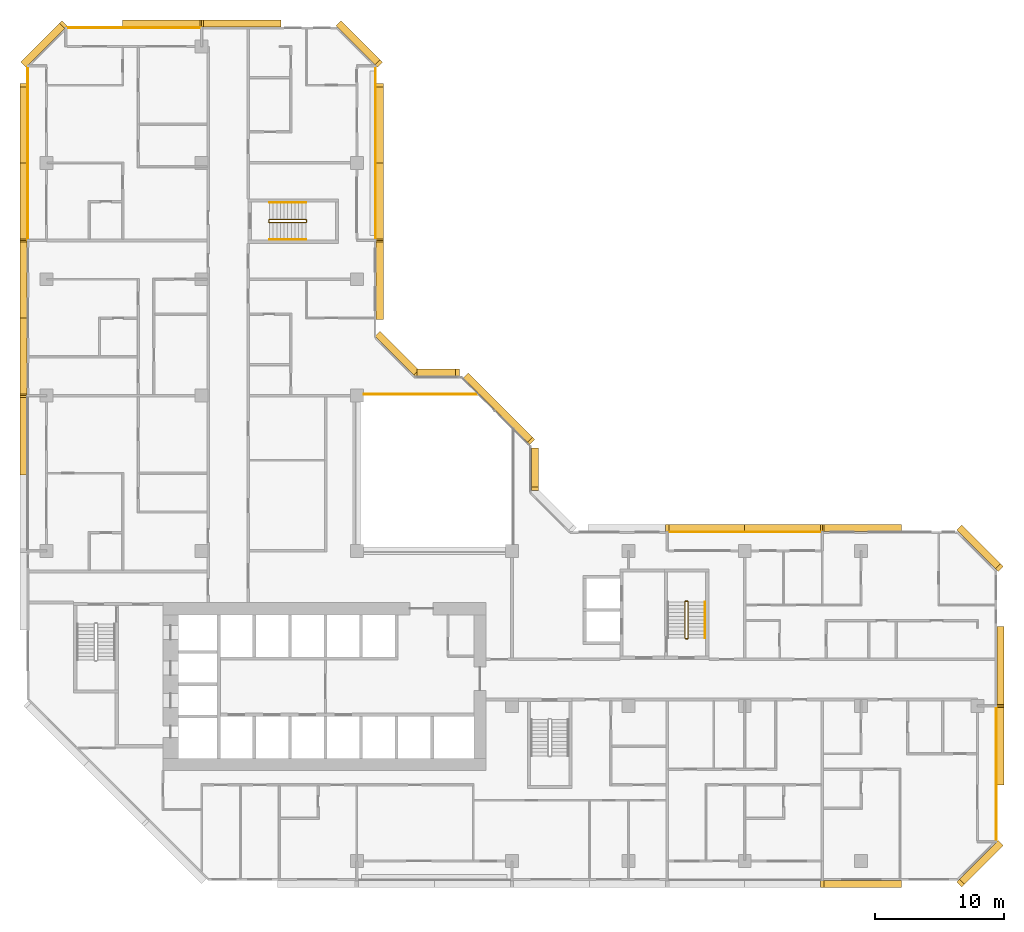
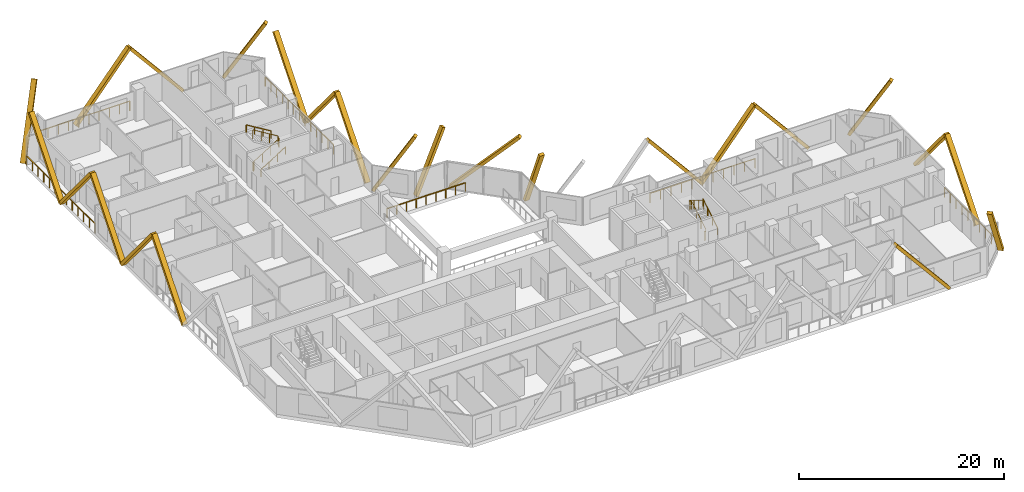
# One storey, part 15 of 15: 24 coverings, 11 railings.
"""IFC4 building model written with IfcOpenShell, lengths in metres."""

from ifc_helpers import new_model, si_unit, direction, frame, origin, origin_2d, place, context, subcontext, project, spatial, rectangle, extrude, material, material_profile, profile_set, type_object, element, save


model = new_model("IFC4")

# Units and contexts
model_context = context("Model", 3, precision=1e-05, world=origin(), true_north=direction((0.0, 1.0)))
body_context = subcontext(model_context, "Body", "Model", "MODEL_VIEW")
ifc_project = project(units=[si_unit("LENGTHUNIT", "METRE"), si_unit("AREAUNIT", "SQUARE_METRE"), si_unit("VOLUMEUNIT", "CUBIC_METRE"), si_unit("PLANEANGLEUNIT", "RADIAN"), si_unit("MASSUNIT", "GRAM", prefix="KILO")], contexts=[model_context])

# Site, building, storey
site_placement = place(None, origin())
site = spatial("IfcSite", under=ifc_project, at=site_placement, CompositionType="ELEMENT")
building_placement = place(site_placement, origin())
building = spatial("IfcBuilding", under=site, at=building_placement, Name="Chenar Terraces", CompositionType="ELEMENT")
storey_placement = place(building_placement, frame((0.0, 0.0, 106.89990234375)))
storey = spatial("IfcBuildingStorey", under=building, at=storey_placement, Name="L24", CompositionType="ELEMENT", Elevation=106.89990234375)

# Railings
ifc_material_1 = material(Name="Powder-coated steel", Category="steel")
railing_type_1 = type_object("IfcRailingType", Name="Guard 1100 steel rail with glass infill", PredefinedType="GUARDRAIL", material=ifc_material_1)
railing_1_placement = place(storey_placement, frame((24.550048828125, 36.10009765625, 0.0)))
element("IfcRailing", 1, at=railing_1_placement, inside=storey, type_object=railing_type_1, Name="Guard L24-2", PredefinedType="GUARDRAIL", context=body_context, shape_type="SweptSolid", body=[
    extrude(rectangle(XDim=0.06005859375, YDim=0.06005859375, at=origin_2d()), frame((0.0, 0.0, 1.070068359375), z_axis=(1.0, 0.0, 0.0), x_axis=(0.0, 1.0, 0.0)), (0.0, 0.0, 1.0), 8.849853515625),
    extrude(rectangle(XDim=0.050048828125, YDim=0.050048828125, at=origin_2d()), origin(), (0.0, 0.0, 1.0), 1.0400390625),
    extrude(rectangle(XDim=0.050048828125, YDim=0.050048828125, at=origin_2d()), frame((1.106201171875, 0.0, 0.0)), (0.0, 0.0, 1.0), 1.0400390625),
    extrude(rectangle(XDim=0.050048828125, YDim=0.050048828125, at=origin_2d()), frame((2.21240234375, 0.0, 0.0)), (0.0, 0.0, 1.0), 1.0400390625),
    extrude(rectangle(XDim=0.050048828125, YDim=0.050048828125, at=origin_2d()), frame((3.318603515625, 0.0, 0.0)), (0.0, 0.0, 1.0), 1.0400390625),
    extrude(rectangle(XDim=0.050048828125, YDim=0.050048828125, at=origin_2d()), frame((4.4248046875, 0.0, 0.0)), (0.0, 0.0, 1.0), 1.0400390625),
    extrude(rectangle(XDim=0.050048828125, YDim=0.050048828125, at=origin_2d()), frame((5.53125, 0.0, 0.0)), (0.0, 0.0, 1.0), 1.0400390625),
    extrude(rectangle(XDim=0.050048828125, YDim=0.050048828125, at=origin_2d()), frame((6.637451171875, 0.0, 0.0)), (0.0, 0.0, 1.0), 1.0400390625),
    extrude(rectangle(XDim=0.050048828125, YDim=0.050048828125, at=origin_2d()), frame((7.74365234375, 0.0, 0.0)), (0.0, 0.0, 1.0), 1.0400390625),
    extrude(rectangle(XDim=0.050048828125, YDim=0.050048828125, at=origin_2d()), frame((8.849853515625, 0.0, 0.0)), (0.0, 0.0, 1.0), 1.0400390625),
])
ifc_material_2 = material(Name="Stainless steel and glass", Category="steel")
railing_type_2 = type_object("IfcRailingType", Name="Loggia guard 1150", PredefinedType="GUARDRAIL", material=ifc_material_2)
railing_2_placement = place(storey_placement, frame((25.449951171875, 48.074951171875, 0.0)))
element("IfcRailing", 2, at=railing_2_placement, inside=storey, type_object=railing_type_2, Name="Loggia guard", PredefinedType="GUARDRAIL", context=body_context, shape_type="SweptSolid", body=[
    extrude(rectangle(XDim=0.048095703125, YDim=0.048095703125, at=origin_2d()), frame((0.0, 0.0, 1.1259765625), z_axis=(0.0, 1.0, 0.0), x_axis=(-1.0, 0.0, 0.0)), (0.0, 0.0, 1.0), 13.35009765625),
    extrude(rectangle(XDim=0.0419921875, YDim=0.0419921875, at=origin_2d()), origin(), (0.0, 0.0, 1.0), 1.101806640625),
    extrude(rectangle(XDim=0.0419921875, YDim=0.0419921875, at=origin_2d()), frame((0.0, 1.112548828125, 0.0)), (0.0, 0.0, 1.0), 1.101806640625),
    extrude(rectangle(XDim=0.0419921875, YDim=0.0419921875, at=origin_2d()), frame((0.0, 2.22509765625, 0.0)), (0.0, 0.0, 1.0), 1.101806640625),
    extrude(rectangle(XDim=0.0419921875, YDim=0.0419921875, at=origin_2d()), frame((0.0, 3.33740234375, 0.0)), (0.0, 0.0, 1.0), 1.101806640625),
    extrude(rectangle(XDim=0.0419921875, YDim=0.0419921875, at=origin_2d()), frame((0.0, 4.449951171875, 0.0)), (0.0, 0.0, 1.0), 1.101806640625),
    extrude(rectangle(XDim=0.0419921875, YDim=0.0419921875, at=origin_2d()), frame((0.0, 5.5625, 0.0)), (0.0, 0.0, 1.0), 1.101806640625),
    extrude(rectangle(XDim=0.0419921875, YDim=0.0419921875, at=origin_2d()), frame((0.0, 6.675048828125, 0.0)), (0.0, 0.0, 1.0), 1.101806640625),
    extrude(rectangle(XDim=0.0419921875, YDim=0.0419921875, at=origin_2d()), frame((0.0, 7.78759765625, 0.0)), (0.0, 0.0, 1.0), 1.101806640625),
    extrude(rectangle(XDim=0.0419921875, YDim=0.0419921875, at=origin_2d()), frame((0.0, 8.900146484375, 0.0)), (0.0, 0.0, 1.0), 1.101806640625),
    extrude(rectangle(XDim=0.0419921875, YDim=0.0419921875, at=origin_2d()), frame((0.0, 10.0126953125, 0.0)), (0.0, 0.0, 1.0), 1.101806640625),
    extrude(rectangle(XDim=0.0419921875, YDim=0.0419921875, at=origin_2d()), frame((0.0, 11.125, 0.0)), (0.0, 0.0, 1.0), 1.101806640625),
    extrude(rectangle(XDim=0.0419921875, YDim=0.0419921875, at=origin_2d()), frame((0.0, 12.237548828125, 0.0)), (0.0, 0.0, 1.0), 1.101806640625),
    extrude(rectangle(XDim=0.0419921875, YDim=0.0419921875, at=origin_2d()), frame((0.0, 13.35009765625, 0.0)), (0.0, 0.0, 1.0), 1.101806640625),
])
railing_3_placement = place(storey_placement, frame((73.449951171875, 1.574951171875, 0.0)))
element("IfcRailing", 3, at=railing_3_placement, inside=storey, type_object=railing_type_2, Name="Loggia guard", PredefinedType="GUARDRAIL", context=body_context, shape_type="SweptSolid", body=[
    extrude(rectangle(XDim=0.048095703125, YDim=0.048095703125, at=origin_2d()), frame((0.0, 0.0, 1.1259765625), z_axis=(0.0, 1.0, 0.0), x_axis=(-1.0, 0.0, 0.0)), (0.0, 0.0, 1.0), 10.35009765625),
    extrude(rectangle(XDim=0.0419921875, YDim=0.0419921875, at=origin_2d()), origin(), (0.0, 0.0, 1.0), 1.101806640625),
    extrude(rectangle(XDim=0.0419921875, YDim=0.0419921875, at=origin_2d()), frame((0.0, 1.14990234375, 0.0)), (0.0, 0.0, 1.0), 1.101806640625),
    extrude(rectangle(XDim=0.0419921875, YDim=0.0419921875, at=origin_2d()), frame((0.0, 2.300048828125, 0.0)), (0.0, 0.0, 1.0), 1.101806640625),
    extrude(rectangle(XDim=0.0419921875, YDim=0.0419921875, at=origin_2d()), frame((0.0, 3.449951171875, 0.0)), (0.0, 0.0, 1.0), 1.101806640625),
    extrude(rectangle(XDim=0.0419921875, YDim=0.0419921875, at=origin_2d()), frame((0.0, 4.60009765625, 0.0)), (0.0, 0.0, 1.0), 1.101806640625),
    extrude(rectangle(XDim=0.0419921875, YDim=0.0419921875, at=origin_2d()), frame((0.0, 5.75, 0.0)), (0.0, 0.0, 1.0), 1.101806640625),
    extrude(rectangle(XDim=0.0419921875, YDim=0.0419921875, at=origin_2d()), frame((0.0, 6.900146484375, 0.0)), (0.0, 0.0, 1.0), 1.101806640625),
    extrude(rectangle(XDim=0.0419921875, YDim=0.0419921875, at=origin_2d()), frame((0.0, 8.050048828125, 0.0)), (0.0, 0.0, 1.0), 1.101806640625),
    extrude(rectangle(XDim=0.0419921875, YDim=0.0419921875, at=origin_2d()), frame((0.0, 9.2001953125, 0.0)), (0.0, 0.0, 1.0), 1.101806640625),
    extrude(rectangle(XDim=0.0419921875, YDim=0.0419921875, at=origin_2d()), frame((0.0, 10.35009765625, 0.0)), (0.0, 0.0, 1.0), 1.101806640625),
])
railing_4_placement = place(storey_placement, frame((59.925048828125, 25.449951171875, 0.0)))
element("IfcRailing", 4, at=railing_4_placement, inside=storey, type_object=railing_type_2, Name="Loggia guard", PredefinedType="GUARDRAIL", context=body_context, shape_type="SweptSolid", body=[
    extrude(rectangle(XDim=0.048095703125, YDim=0.048095703125, at=origin_2d()), frame((0.0, 0.0, 1.1259765625), z_axis=(-1.0, 0.0, 0.0), x_axis=(0.0, -1.0, 0.0)), (0.0, 0.0, 1.0), 11.85009765625),
    extrude(rectangle(XDim=0.0419921875, YDim=0.0419921875, at=origin_2d()), origin(), (0.0, 0.0, 1.0), 1.101806640625),
    extrude(rectangle(XDim=0.0419921875, YDim=0.0419921875, at=origin_2d()), frame((-1.18505859375, 0.0, 0.0)), (0.0, 0.0, 1.0), 1.101806640625),
    extrude(rectangle(XDim=0.0419921875, YDim=0.0419921875, at=origin_2d()), frame((-2.3701171875, 0.0, 0.0)), (0.0, 0.0, 1.0), 1.101806640625),
    extrude(rectangle(XDim=0.0419921875, YDim=0.0419921875, at=origin_2d()), frame((-3.554931640625, 0.0, 0.0)), (0.0, 0.0, 1.0), 1.101806640625),
    extrude(rectangle(XDim=0.0419921875, YDim=0.0419921875, at=origin_2d()), frame((-4.739990234375, 0.0, 0.0)), (0.0, 0.0, 1.0), 1.101806640625),
    extrude(rectangle(XDim=0.0419921875, YDim=0.0419921875, at=origin_2d()), frame((-5.925048828125, 0.0, 0.0)), (0.0, 0.0, 1.0), 1.101806640625),
    extrude(rectangle(XDim=0.0419921875, YDim=0.0419921875, at=origin_2d()), frame((-7.110107421875, 0.0, 0.0)), (0.0, 0.0, 1.0), 1.101806640625),
    extrude(rectangle(XDim=0.0419921875, YDim=0.0419921875, at=origin_2d()), frame((-8.295166015625, 0.0, 0.0)), (0.0, 0.0, 1.0), 1.101806640625),
    extrude(rectangle(XDim=0.0419921875, YDim=0.0419921875, at=origin_2d()), frame((-9.47998046875, 0.0, 0.0)), (0.0, 0.0, 1.0), 1.101806640625),
    extrude(rectangle(XDim=0.0419921875, YDim=0.0419921875, at=origin_2d()), frame((-10.6650390625, 0.0, 0.0)), (0.0, 0.0, 1.0), 1.101806640625),
    extrude(rectangle(XDim=0.0419921875, YDim=0.0419921875, at=origin_2d()), frame((-11.85009765625, 0.0, 0.0)), (0.0, 0.0, 1.0), 1.101806640625),
])
railing_5_placement = place(storey_placement, frame((11.925048828125, 64.449951171875, 0.0)))
element("IfcRailing", 5, at=railing_5_placement, inside=storey, type_object=railing_type_2, Name="Loggia guard", PredefinedType="GUARDRAIL", context=body_context, shape_type="SweptSolid", body=[
    extrude(rectangle(XDim=0.048095703125, YDim=0.048095703125, at=origin_2d()), frame((0.0, 0.0, 1.1259765625), z_axis=(-1.0, 0.0, 0.0), x_axis=(0.0, -1.0, 0.0)), (0.0, 0.0, 1.0), 10.35009765625),
    extrude(rectangle(XDim=0.0419921875, YDim=0.0419921875, at=origin_2d()), origin(), (0.0, 0.0, 1.0), 1.101806640625),
    extrude(rectangle(XDim=0.0419921875, YDim=0.0419921875, at=origin_2d()), frame((-1.14990234375, 0.0, 0.0)), (0.0, 0.0, 1.0), 1.101806640625),
    extrude(rectangle(XDim=0.0419921875, YDim=0.0419921875, at=origin_2d()), frame((-2.300048828125, 0.0, 0.0)), (0.0, 0.0, 1.0), 1.101806640625),
    extrude(rectangle(XDim=0.0419921875, YDim=0.0419921875, at=origin_2d()), frame((-3.449951171875, 0.0, 0.0)), (0.0, 0.0, 1.0), 1.101806640625),
    extrude(rectangle(XDim=0.0419921875, YDim=0.0419921875, at=origin_2d()), frame((-4.60009765625, 0.0, 0.0)), (0.0, 0.0, 1.0), 1.101806640625),
    extrude(rectangle(XDim=0.0419921875, YDim=0.0419921875, at=origin_2d()), frame((-5.75, 0.0, 0.0)), (0.0, 0.0, 1.0), 1.101806640625),
    extrude(rectangle(XDim=0.0419921875, YDim=0.0419921875, at=origin_2d()), frame((-6.900146484375, 0.0, 0.0)), (0.0, 0.0, 1.0), 1.101806640625),
    extrude(rectangle(XDim=0.0419921875, YDim=0.0419921875, at=origin_2d()), frame((-8.050048828125, 0.0, 0.0)), (0.0, 0.0, 1.0), 1.101806640625),
    extrude(rectangle(XDim=0.0419921875, YDim=0.0419921875, at=origin_2d()), frame((-9.2001953125, 0.0, 0.0)), (0.0, 0.0, 1.0), 1.101806640625),
    extrude(rectangle(XDim=0.0419921875, YDim=0.0419921875, at=origin_2d()), frame((-10.35009765625, 0.0, 0.0)), (0.0, 0.0, 1.0), 1.101806640625),
])
railing_6_placement = place(storey_placement, frame((-1.449951171875, 61.425048828125, 0.0)))
element("IfcRailing", 6, at=railing_6_placement, inside=storey, type_object=railing_type_2, Name="Loggia guard", PredefinedType="GUARDRAIL", context=body_context, shape_type="SweptSolid", body=[
    extrude(rectangle(XDim=0.048095703125, YDim=0.048095703125, at=origin_2d()), frame((0.0, 0.0, 1.1259765625), z_axis=(0.0, -1.0, 0.0), x_axis=(1.0, 0.0, 0.0)), (0.0, 0.0, 1.0), 13.35009765625),
    extrude(rectangle(XDim=0.0419921875, YDim=0.0419921875, at=origin_2d()), origin(), (0.0, 0.0, 1.0), 1.101806640625),
    extrude(rectangle(XDim=0.0419921875, YDim=0.0419921875, at=origin_2d()), frame((0.0, -1.112548828125, 0.0)), (0.0, 0.0, 1.0), 1.101806640625),
    extrude(rectangle(XDim=0.0419921875, YDim=0.0419921875, at=origin_2d()), frame((0.0, -2.22509765625, 0.0)), (0.0, 0.0, 1.0), 1.101806640625),
    extrude(rectangle(XDim=0.0419921875, YDim=0.0419921875, at=origin_2d()), frame((0.0, -3.33740234375, 0.0)), (0.0, 0.0, 1.0), 1.101806640625),
    extrude(rectangle(XDim=0.0419921875, YDim=0.0419921875, at=origin_2d()), frame((0.0, -4.449951171875, 0.0)), (0.0, 0.0, 1.0), 1.101806640625),
    extrude(rectangle(XDim=0.0419921875, YDim=0.0419921875, at=origin_2d()), frame((0.0, -5.5625, 0.0)), (0.0, 0.0, 1.0), 1.101806640625),
    extrude(rectangle(XDim=0.0419921875, YDim=0.0419921875, at=origin_2d()), frame((0.0, -6.675048828125, 0.0)), (0.0, 0.0, 1.0), 1.101806640625),
    extrude(rectangle(XDim=0.0419921875, YDim=0.0419921875, at=origin_2d()), frame((0.0, -7.78759765625, 0.0)), (0.0, 0.0, 1.0), 1.101806640625),
    extrude(rectangle(XDim=0.0419921875, YDim=0.0419921875, at=origin_2d()), frame((0.0, -8.900146484375, 0.0)), (0.0, 0.0, 1.0), 1.101806640625),
    extrude(rectangle(XDim=0.0419921875, YDim=0.0419921875, at=origin_2d()), frame((0.0, -10.0126953125, 0.0)), (0.0, 0.0, 1.0), 1.101806640625),
    extrude(rectangle(XDim=0.0419921875, YDim=0.0419921875, at=origin_2d()), frame((0.0, -11.125, 0.0)), (0.0, 0.0, 1.0), 1.101806640625),
    extrude(rectangle(XDim=0.0419921875, YDim=0.0419921875, at=origin_2d()), frame((0.0, -12.237548828125, 0.0)), (0.0, 0.0, 1.0), 1.101806640625),
    extrude(rectangle(XDim=0.0419921875, YDim=0.0419921875, at=origin_2d()), frame((0.0, -13.35009765625, 0.0)), (0.0, 0.0, 1.0), 1.101806640625),
])
ifc_material_3 = material(Name="Powder-coated steel", Category="steel")
railing_type_3 = type_object("IfcRailingType", Name="Stair guard 1100", PredefinedType="GUARDRAIL", material=ifc_material_3)
railing_7_placement = place(storey_placement, frame((49.375, 17.25, 3.75)))
element("IfcRailing", 7, at=railing_7_placement, inside=storey, type_object=railing_type_3, Name="L24 ST3 stair guard 1", PredefinedType="GUARDRAIL", context=body_context, shape_type="SweptSolid", body=[
    extrude(rectangle(XDim=0.048095703125, YDim=0.048095703125, at=origin_2d()), frame((0.0, 0.0, 1.076171875), z_axis=(0.0, 0.854202870247, -0.519939858505), x_axis=(-1.0, 0.0, 0.0)), (0.0, 0.0, 1.0), 3.278076171875),
    extrude(rectangle(XDim=0.048095703125, YDim=0.048095703125, at=origin_2d()), frame((0.0, 2.800048828125, -0.62841796875), z_axis=(0.270899902878, 0.270899902878, -0.923702595667), x_axis=(-0.707106781187, 0.707106781187, 0.0)), (0.0, 0.0, 1.0), 0.184814453125),
    extrude(rectangle(XDim=0.048095703125, YDim=0.048095703125, at=origin_2d()), frame((0.050048828125, 2.85009765625, -0.798828125), z_axis=(1.0, 0.0, 0.0), x_axis=(0.0, 1.0, 0.0)), (0.0, 0.0, 1.0), 0.14990234375),
    extrude(rectangle(XDim=0.048095703125, YDim=0.048095703125, at=origin_2d()), frame((0.199951171875, 2.85009765625, -0.798828125), z_axis=(0.707106781187, -0.707106781187, 0.0), x_axis=(0.707106781187, 0.707106781187, 0.0)), (0.0, 0.0, 1.0), 0.07080078125),
    extrude(rectangle(XDim=0.048095703125, YDim=0.048095703125, at=origin_2d()), frame((0.25, 2.800048828125, -0.798828125), z_axis=(0.0, -0.854202870247, -0.519939858505), x_axis=(1.0, 0.0, 0.0)), (0.0, 0.0, 1.0), 3.278076171875),
    extrude(rectangle(XDim=0.048095703125, YDim=0.048095703125, at=origin_2d()), frame((0.25, 0.0, -2.50341796875), z_axis=(-0.270899902878, -0.270899902878, -0.923702595667), x_axis=(0.707106781187, -0.707106781187, 0.0)), (0.0, 0.0, 1.0), 0.184814453125),
    extrude(rectangle(XDim=0.048095703125, YDim=0.048095703125, at=origin_2d()), frame((0.199951171875, -0.050048828125, -2.673828125), z_axis=(-1.0, 0.0, 0.0), x_axis=(0.0, -1.0, 0.0)), (0.0, 0.0, 1.0), 0.14990234375),
    extrude(rectangle(XDim=0.0419921875, YDim=0.0419921875, at=origin_2d()), origin(), (0.0, 0.0, 1.0), 1.052001953125),
    extrude(rectangle(XDim=0.0419921875, YDim=0.0419921875, at=origin_2d()), frame((0.0, 0.933349609375, -0.568115234375)), (0.0, 0.0, 1.0), 1.052001953125),
    extrude(rectangle(XDim=0.0419921875, YDim=0.0419921875, at=origin_2d()), frame((0.0, 1.86669921875, -1.13623046875)), (0.0, 0.0, 1.0), 1.052001953125),
    extrude(rectangle(XDim=0.0419921875, YDim=0.0419921875, at=origin_2d()), frame((0.0, 2.800048828125, -1.704345703125)), (0.0, 0.0, 1.0), 1.052001953125),
    extrude(rectangle(XDim=0.0419921875, YDim=0.0419921875, at=origin_2d()), frame((0.050048828125, 2.85009765625, -1.875)), (0.0, 0.0, 1.0), 1.052001953125),
    extrude(rectangle(XDim=0.0419921875, YDim=0.0419921875, at=origin_2d()), frame((0.199951171875, 2.85009765625, -1.875)), (0.0, 0.0, 1.0), 1.052001953125),
    extrude(rectangle(XDim=0.0419921875, YDim=0.0419921875, at=origin_2d()), frame((0.25, 2.800048828125, -1.875)), (0.0, 0.0, 1.0), 1.052001953125),
    extrude(rectangle(XDim=0.0419921875, YDim=0.0419921875, at=origin_2d()), frame((0.25, 1.86669921875, -2.443115234375)), (0.0, 0.0, 1.0), 1.052001953125),
    extrude(rectangle(XDim=0.0419921875, YDim=0.0419921875, at=origin_2d()), frame((0.25, 0.933349609375, -3.01123046875)), (0.0, 0.0, 1.0), 1.052001953125),
    extrude(rectangle(XDim=0.0419921875, YDim=0.0419921875, at=origin_2d()), frame((0.25, 0.0, -3.579345703125)), (0.0, 0.0, 1.0), 1.052001953125),
    extrude(rectangle(XDim=0.0419921875, YDim=0.0419921875, at=origin_2d()), frame((0.199951171875, -0.050048828125, -3.75)), (0.0, 0.0, 1.0), 1.052001953125),
    extrude(rectangle(XDim=0.0419921875, YDim=0.0419921875, at=origin_2d()), frame((0.050048828125, -0.050048828125, -3.75)), (0.0, 0.0, 1.0), 1.052001953125),
])
railing_8_placement = place(storey_placement, frame((17.25, 49.625, 3.75)))
element("IfcRailing", 8, at=railing_8_placement, inside=storey, type_object=railing_type_3, Name="L24 ST4 stair guard 1", PredefinedType="GUARDRAIL", context=body_context, shape_type="SweptSolid", body=[
    extrude(rectangle(XDim=0.048095703125, YDim=0.048095703125, at=origin_2d()), frame((0.0, 0.0, 1.076171875), z_axis=(0.854202870247, 0.0, -0.519939858505), x_axis=(0.0, 1.0, 0.0)), (0.0, 0.0, 1.0), 3.278076171875),
    extrude(rectangle(XDim=0.048095703125, YDim=0.048095703125, at=origin_2d()), frame((2.800048828125, 0.0, -0.62841796875), z_axis=(0.270899902878, -0.270899902878, -0.923702595667), x_axis=(0.707106781187, 0.707106781187, 0.0)), (0.0, 0.0, 1.0), 0.184814453125),
    extrude(rectangle(XDim=0.048095703125, YDim=0.048095703125, at=origin_2d()), frame((2.85009765625, -0.050048828125, -0.798828125), z_axis=(0.0, -1.0, 0.0), x_axis=(1.0, 0.0, 0.0)), (0.0, 0.0, 1.0), 0.14990234375),
    extrude(rectangle(XDim=0.048095703125, YDim=0.048095703125, at=origin_2d()), frame((2.85009765625, -0.199951171875, -0.798828125), z_axis=(-0.707106781187, -0.707106781187, 0.0), x_axis=(0.707106781187, -0.707106781187, 0.0)), (0.0, 0.0, 1.0), 0.07080078125),
    extrude(rectangle(XDim=0.048095703125, YDim=0.048095703125, at=origin_2d()), frame((2.800048828125, -0.25, -0.798828125), z_axis=(-0.854202870247, 0.0, -0.519939858505), x_axis=(0.0, -1.0, 0.0)), (0.0, 0.0, 1.0), 3.278076171875),
    extrude(rectangle(XDim=0.048095703125, YDim=0.048095703125, at=origin_2d()), frame((0.0, -0.25, -2.50341796875), z_axis=(-0.270899902878, 0.270899902878, -0.923702595667), x_axis=(-0.707106781187, -0.707106781187, 0.0)), (0.0, 0.0, 1.0), 0.184814453125),
    extrude(rectangle(XDim=0.048095703125, YDim=0.048095703125, at=origin_2d()), frame((-0.050048828125, -0.199951171875, -2.673828125), z_axis=(0.0, 1.0, 0.0), x_axis=(-1.0, 0.0, 0.0)), (0.0, 0.0, 1.0), 0.14990234375),
    extrude(rectangle(XDim=0.0419921875, YDim=0.0419921875, at=origin_2d()), origin(), (0.0, 0.0, 1.0), 1.052001953125),
    extrude(rectangle(XDim=0.0419921875, YDim=0.0419921875, at=origin_2d()), frame((0.933349609375, 0.0, -0.568115234375)), (0.0, 0.0, 1.0), 1.052001953125),
    extrude(rectangle(XDim=0.0419921875, YDim=0.0419921875, at=origin_2d()), frame((1.86669921875, 0.0, -1.13623046875)), (0.0, 0.0, 1.0), 1.052001953125),
    extrude(rectangle(XDim=0.0419921875, YDim=0.0419921875, at=origin_2d()), frame((2.800048828125, 0.0, -1.704345703125)), (0.0, 0.0, 1.0), 1.052001953125),
    extrude(rectangle(XDim=0.0419921875, YDim=0.0419921875, at=origin_2d()), frame((2.85009765625, -0.050048828125, -1.875)), (0.0, 0.0, 1.0), 1.052001953125),
    extrude(rectangle(XDim=0.0419921875, YDim=0.0419921875, at=origin_2d()), frame((2.85009765625, -0.199951171875, -1.875)), (0.0, 0.0, 1.0), 1.052001953125),
    extrude(rectangle(XDim=0.0419921875, YDim=0.0419921875, at=origin_2d()), frame((2.800048828125, -0.25, -1.875)), (0.0, 0.0, 1.0), 1.052001953125),
    extrude(rectangle(XDim=0.0419921875, YDim=0.0419921875, at=origin_2d()), frame((1.86669921875, -0.25, -2.443115234375)), (0.0, 0.0, 1.0), 1.052001953125),
    extrude(rectangle(XDim=0.0419921875, YDim=0.0419921875, at=origin_2d()), frame((0.933349609375, -0.25, -3.01123046875)), (0.0, 0.0, 1.0), 1.052001953125),
    extrude(rectangle(XDim=0.0419921875, YDim=0.0419921875, at=origin_2d()), frame((0.0, -0.25, -3.579345703125)), (0.0, 0.0, 1.0), 1.052001953125),
    extrude(rectangle(XDim=0.0419921875, YDim=0.0419921875, at=origin_2d()), frame((-0.050048828125, -0.199951171875, -3.75)), (0.0, 0.0, 1.0), 1.052001953125),
    extrude(rectangle(XDim=0.0419921875, YDim=0.0419921875, at=origin_2d()), frame((-0.050048828125, -0.050048828125, -3.75)), (0.0, 0.0, 1.0), 1.052001953125),
])
ifc_material_4 = material(Name="Powder-coated steel", Category="steel")
railing_type_4 = type_object("IfcRailingType", Name="Stair handrail 900", PredefinedType="HANDRAIL", material=ifc_material_4)
railing_9_placement = place(storey_placement, frame((50.925048828125, 17.25, 0.170654296875)))
element("IfcRailing", 9, at=railing_9_placement, inside=storey, type_object=railing_type_4, Name="L24 ST3 stair handrail 1", PredefinedType="HANDRAIL", context=body_context, shape_type="SweptSolid", body=[
    extrude(rectangle(XDim=0.048095703125, YDim=0.048095703125, at=origin_2d()), frame((0.0, 0.0, 0.8759765625), z_axis=(0.0, 0.854202870247, 0.519939858505), x_axis=(-1.0, 0.0, 0.0)), (0.0, 0.0, 1.0), 3.278076171875),
    extrude(rectangle(XDim=0.0419921875, YDim=0.0419921875, at=origin_2d()), origin(), (0.0, 0.0, 1.0), 0.851806640625),
    extrude(rectangle(XDim=0.0419921875, YDim=0.0419921875, at=origin_2d()), frame((0.0, 0.933349609375, 0.568115234375)), (0.0, 0.0, 1.0), 0.851806640625),
    extrude(rectangle(XDim=0.0419921875, YDim=0.0419921875, at=origin_2d()), frame((0.0, 1.86669921875, 1.13623046875)), (0.0, 0.0, 1.0), 0.851806640625),
    extrude(rectangle(XDim=0.0419921875, YDim=0.0419921875, at=origin_2d()), frame((0.0, 2.800048828125, 1.704345703125)), (0.0, 0.0, 1.0), 0.851806640625),
])
railing_10_placement = place(storey_placement, frame((17.25, 48.074951171875, 0.170654296875)))
element("IfcRailing", 10, at=railing_10_placement, inside=storey, type_object=railing_type_4, Name="L24 ST4 stair handrail 1", PredefinedType="HANDRAIL", context=body_context, shape_type="SweptSolid", body=[
    extrude(rectangle(XDim=0.048095703125, YDim=0.048095703125, at=origin_2d()), frame((0.0, 0.0, 0.8759765625), z_axis=(0.854202870247, 0.0, 0.519939858505), x_axis=(0.0, 1.0, 0.0)), (0.0, 0.0, 1.0), 3.278076171875),
    extrude(rectangle(XDim=0.0419921875, YDim=0.0419921875, at=origin_2d()), origin(), (0.0, 0.0, 1.0), 0.851806640625),
    extrude(rectangle(XDim=0.0419921875, YDim=0.0419921875, at=origin_2d()), frame((0.933349609375, 0.0, 0.568115234375)), (0.0, 0.0, 1.0), 0.851806640625),
    extrude(rectangle(XDim=0.0419921875, YDim=0.0419921875, at=origin_2d()), frame((1.86669921875, 0.0, 1.13623046875)), (0.0, 0.0, 1.0), 0.851806640625),
    extrude(rectangle(XDim=0.0419921875, YDim=0.0419921875, at=origin_2d()), frame((2.800048828125, 0.0, 1.704345703125)), (0.0, 0.0, 1.0), 0.851806640625),
])
railing_11_placement = place(storey_placement, frame((20.050048828125, 50.925048828125, 2.045654296875)))
element("IfcRailing", 11, at=railing_11_placement, inside=storey, type_object=railing_type_4, Name="L24 ST4 stair handrail 2", PredefinedType="HANDRAIL", context=body_context, shape_type="SweptSolid", body=[
    extrude(rectangle(XDim=0.048095703125, YDim=0.048095703125, at=origin_2d()), frame((0.0, 0.0, 0.8759765625), z_axis=(-0.854202870247, 0.0, 0.519939858505), x_axis=(0.0, -1.0, 0.0)), (0.0, 0.0, 1.0), 3.278076171875),
    extrude(rectangle(XDim=0.0419921875, YDim=0.0419921875, at=origin_2d()), origin(), (0.0, 0.0, 1.0), 0.851806640625),
    extrude(rectangle(XDim=0.0419921875, YDim=0.0419921875, at=origin_2d()), frame((-0.933349609375, 0.0, 0.568115234375)), (0.0, 0.0, 1.0), 0.851806640625),
    extrude(rectangle(XDim=0.0419921875, YDim=0.0419921875, at=origin_2d()), frame((-1.86669921875, 0.0, 1.13623046875)), (0.0, 0.0, 1.0), 0.851806640625),
    extrude(rectangle(XDim=0.0419921875, YDim=0.0419921875, at=origin_2d()), frame((-2.800048828125, 0.0, 1.704345703125)), (0.0, 0.0, 1.0), 0.851806640625),
])

# Coverings
ifc_material_5 = material(Name="Terracotta", Category="masonry")
ifc_material_profile = material_profile(ifc_material_5, rectangle(XDim=0.550048828125, YDim=0.330078125, at=origin_2d()), Name="Terracotta baguette 550 x 330")
ifc_profile_set = profile_set([ifc_material_profile], Name="Terracotta")
covering_type = type_object("IfcCoveringType", Name="Terracotta baguette 550 x 330", PredefinedType="CLADDING", material=ifc_profile_set)
for number, where, z_axis, x_axis, name in (
    (12, (66.0, 25.77490234375, 0.150146484375), (-0.640186961885, 0.0, 0.768219144407), (0.0, -1.0, 0.0), "Terracotta baguette"),
    (13, (60.0, 25.77490234375, 7.35009765625), (-0.640186961885, 0.0, -0.768219144407), (0.0, -1.0, 0.0), "Terracotta baguette"),
    (14, (54.0, 25.77490234375, 0.150146484375), (-0.640186961885, 0.0, 0.768219144407), (0.0, -1.0, 0.0), "Terracotta baguette"),
):
    element("IfcCovering", number, at=place(storey_placement, frame(where, z_axis=z_axis, x_axis=x_axis)), inside=storey, type_object=covering_type, Name=name, PredefinedType="CLADDING", context=body_context, shape_type="SweptSolid", body=[
        extrude(rectangle(XDim=0.550048828125, YDim=0.330078125, at=origin_2d()), origin(), (0.0, 0.0, 1.0), 9.372314453125),
    ])
covering_1_placement = place(storey_placement, frame((37.77490234375, 28.800048828125, 7.35009765625), z_axis=(0.0, 0.384617607118, -0.923075997031), x_axis=(-1.0, 0.0, 0.0)))
element("IfcCovering", 15, at=covering_1_placement, inside=storey, type_object=covering_type, Name="Terracotta baguette", PredefinedType="CLADDING", context=body_context, shape_type="SweptSolid", body=[
    extrude(rectangle(XDim=0.550048828125, YDim=0.330078125, at=origin_2d()), origin(), (0.0, 0.0, 1.0), 7.800048828125),
])
covering_2_placement = place(storey_placement, frame((37.482421875, 32.506591796875, 7.35009765625), z_axis=(-0.494240720479, 0.494240720479, -0.715158877761), x_axis=(-0.707106781187, -0.707106781187, 0.0)))
element("IfcCovering", 16, at=covering_2_placement, inside=storey, type_object=covering_type, Name="Terracotta baguette", PredefinedType="CLADDING", context=body_context, shape_type="SweptSolid", body=[
    extrude(rectangle(XDim=0.550048828125, YDim=0.330078125, at=origin_2d()), origin(), (0.0, 0.0, 1.0), 10.067626953125),
])
covering_3_placement = place(storey_placement, frame((31.800048828125, 37.77490234375, 7.35009765625), z_axis=(-0.384617607118, 0.0, -0.923075997031), x_axis=(0.0, -1.0, 0.0)))
element("IfcCovering", 17, at=covering_3_placement, inside=storey, type_object=covering_type, Name="Terracotta baguette", PredefinedType="CLADDING", context=body_context, shape_type="SweptSolid", body=[
    extrude(rectangle(XDim=0.550048828125, YDim=0.330078125, at=origin_2d()), origin(), (0.0, 0.0, 1.0), 7.800048828125),
])
covering_4_placement = place(storey_placement, frame((28.6943359375, 37.6943359375, 7.35009765625), z_axis=(-0.358955436736, 0.358984650982, -0.861557319507), x_axis=(-0.70713555402, -0.707078007182, 0.0)))
element("IfcCovering", 18, at=covering_4_placement, inside=storey, type_object=covering_type, Name="Terracotta baguette", PredefinedType="CLADDING", context=body_context, shape_type="SweptSolid", body=[
    extrude(rectangle(XDim=0.550048828125, YDim=0.330078125, at=origin_2d()), origin(), (0.0, 0.0, 1.0), 8.35693359375),
])
for number, where, z_axis, x_axis, name in (
    (19, (25.77490234375, 42.0, 0.150146484375), (0.0, 0.640186961885, 0.768219144407), (-1.0, 0.0, 0.0), "Terracotta baguette"),
    (20, (25.77490234375, 48.0, 7.35009765625), (0.0, 0.640186961885, -0.768219144407), (-1.0, 0.0, 0.0), "Terracotta baguette"),
    (21, (25.77490234375, 54.0, 0.150146484375), (0.0, 0.640186961885, 0.768219144407), (-1.0, 0.0, 0.0), "Terracotta baguette"),
):
    element("IfcCovering", number, at=place(storey_placement, frame(where, z_axis=z_axis, x_axis=x_axis)), inside=storey, type_object=covering_type, Name=name, PredefinedType="CLADDING", context=body_context, shape_type="SweptSolid", body=[
        extrude(rectangle(XDim=0.550048828125, YDim=0.330078125, at=origin_2d()), origin(), (0.0, 0.0, 1.0), 9.372314453125),
    ])
covering_5_placement = place(storey_placement, frame((25.6943359375, 61.6943359375, 7.35009765625), z_axis=(-0.358955436736, 0.358984650982, -0.861557319507), x_axis=(-0.70713555402, -0.707078007182, 0.0)))
element("IfcCovering", 22, at=covering_5_placement, inside=storey, type_object=covering_type, Name="Terracotta baguette", PredefinedType="CLADDING", context=body_context, shape_type="SweptSolid", body=[
    extrude(rectangle(XDim=0.550048828125, YDim=0.330078125, at=origin_2d()), origin(), (0.0, 0.0, 1.0), 8.35693359375),
])
for number, where, z_axis, x_axis, name in (
    (23, (18.0, 64.77490234375, 0.150146484375), (-0.640186961885, 0.0, 0.768219144407), (0.0, -1.0, 0.0), "Terracotta baguette"),
    (24, (12.0, 64.77490234375, 7.35009765625), (-0.640186961885, 0.0, -0.768219144407), (0.0, -1.0, 0.0), "Terracotta baguette"),
):
    element("IfcCovering", number, at=place(storey_placement, frame(where, z_axis=z_axis, x_axis=x_axis)), inside=storey, type_object=covering_type, Name=name, PredefinedType="CLADDING", context=body_context, shape_type="SweptSolid", body=[
        extrude(rectangle(XDim=0.550048828125, YDim=0.330078125, at=origin_2d()), origin(), (0.0, 0.0, 1.0), 9.372314453125),
    ])
covering_6_placement = place(storey_placement, frame((1.3056640625, 64.6943359375, 7.35009765625), z_axis=(-0.358984650982, -0.358955436736, -0.861557319507), x_axis=(0.707078007182, -0.70713555402, 0.0)))
element("IfcCovering", 25, at=covering_6_placement, inside=storey, type_object=covering_type, Name="Terracotta baguette", PredefinedType="CLADDING", context=body_context, shape_type="SweptSolid", body=[
    extrude(rectangle(XDim=0.550048828125, YDim=0.330078125, at=origin_2d()), origin(), (0.0, 0.0, 1.0), 8.35693359375),
])
for number, where, z_axis, x_axis, name in (
    (26, (-1.77490234375, 60.0, 7.35009765625), (0.0, -0.640186961885, -0.768219144407), (1.0, 0.0, 0.0), "Terracotta baguette"),
    (27, (-1.77490234375, 54.0, 0.150146484375), (0.0, -0.640186961885, 0.768219144407), (1.0, 0.0, 0.0), "Terracotta baguette"),
    (28, (-1.77490234375, 48.0, 7.35009765625), (0.0, -0.640186961885, -0.768219144407), (1.0, 0.0, 0.0), "Terracotta baguette"),
    (29, (-1.77490234375, 42.0, 0.150146484375), (0.0, -0.640186961885, 0.768219144407), (1.0, 0.0, 0.0), "Terracotta baguette"),
    (30, (-1.77490234375, 36.0, 7.35009765625), (0.0, -0.640186961885, -0.768219144407), (1.0, 0.0, 0.0), "Terracotta baguette"),
    (31, (60.0, -1.77490234375, 7.35009765625), (0.640186961885, 0.0, -0.768219144407), (0.0, 1.0, 0.0), "Terracotta baguette"),
):
    element("IfcCovering", number, at=place(storey_placement, frame(where, z_axis=z_axis, x_axis=x_axis)), inside=storey, type_object=covering_type, Name=name, PredefinedType="CLADDING", context=body_context, shape_type="SweptSolid", body=[
        extrude(rectangle(XDim=0.550048828125, YDim=0.330078125, at=origin_2d()), origin(), (0.0, 0.0, 1.0), 9.372314453125),
    ])
covering_7_placement = place(storey_placement, frame((70.6943359375, -1.6943359375, 7.35009765625), z_axis=(0.358984650982, 0.358955436736, -0.861557319507), x_axis=(-0.707078007182, 0.70713555402, 0.0)))
element("IfcCovering", 32, at=covering_7_placement, inside=storey, type_object=covering_type, Name="Terracotta baguette", PredefinedType="CLADDING", context=body_context, shape_type="SweptSolid", body=[
    extrude(rectangle(XDim=0.550048828125, YDim=0.330078125, at=origin_2d()), origin(), (0.0, 0.0, 1.0), 8.35693359375),
])
for number, where, z_axis, x_axis, name in (
    (33, (73.77490234375, 6.0, 0.150146484375), (0.0, 0.640186961885, 0.768219144407), (-1.0, 0.0, 0.0), "Terracotta baguette"),
    (34, (73.77490234375, 12.0, 7.35009765625), (0.0, 0.640186961885, -0.768219144407), (-1.0, 0.0, 0.0), "Terracotta baguette"),
):
    element("IfcCovering", number, at=place(storey_placement, frame(where, z_axis=z_axis, x_axis=x_axis)), inside=storey, type_object=covering_type, Name=name, PredefinedType="CLADDING", context=body_context, shape_type="SweptSolid", body=[
        extrude(rectangle(XDim=0.550048828125, YDim=0.330078125, at=origin_2d()), origin(), (0.0, 0.0, 1.0), 9.372314453125),
    ])
covering_8_placement = place(storey_placement, frame((73.6943359375, 22.6943359375, 7.35009765625), z_axis=(-0.358955436736, 0.358984650982, -0.861557319507), x_axis=(-0.70713555402, -0.707078007182, 0.0)))
element("IfcCovering", 35, at=covering_8_placement, inside=storey, type_object=covering_type, Name="Terracotta baguette", PredefinedType="CLADDING", context=body_context, shape_type="SweptSolid", body=[
    extrude(rectangle(XDim=0.550048828125, YDim=0.330078125, at=origin_2d()), origin(), (0.0, 0.0, 1.0), 8.35693359375),
])

save(model, "model.ifc")
